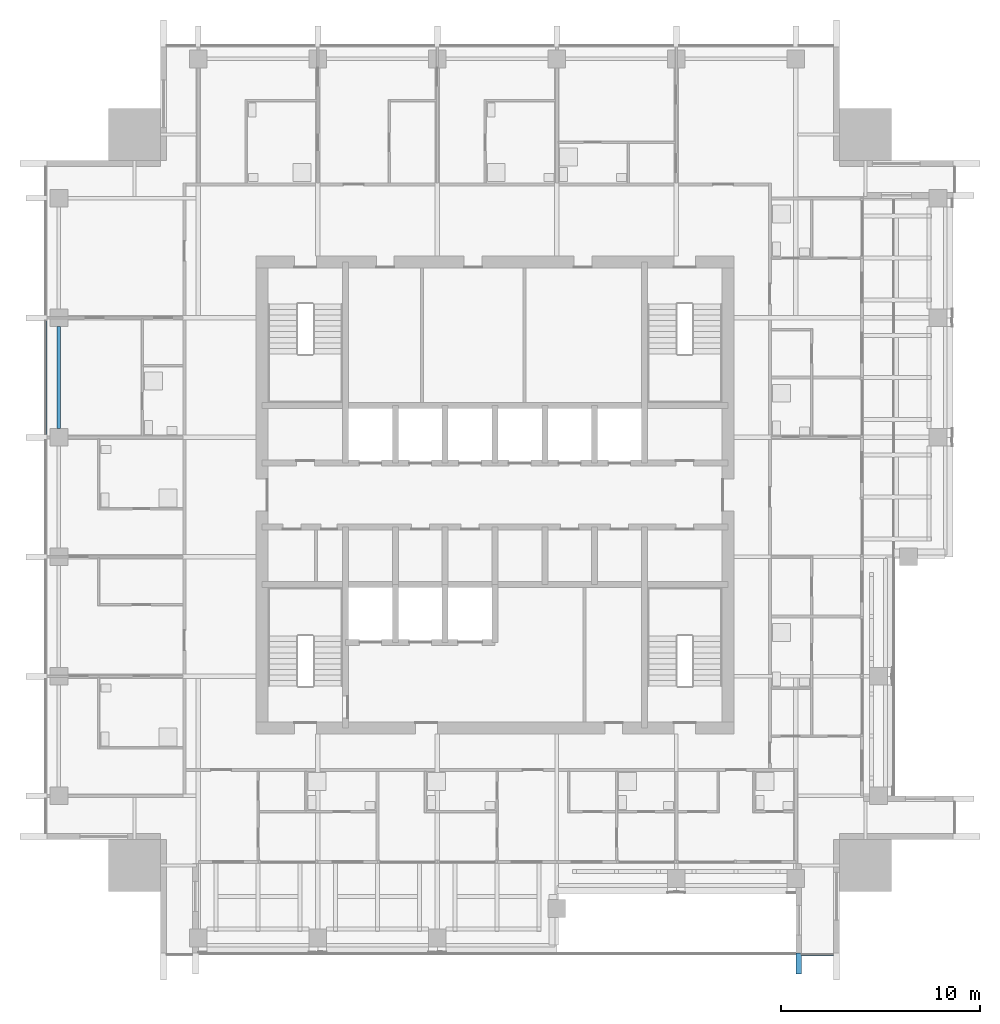
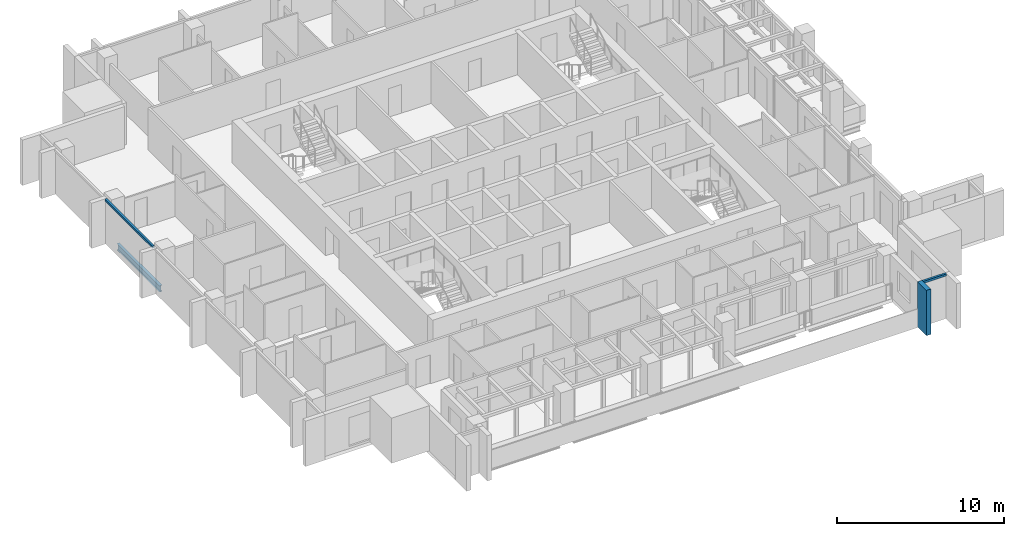
# One storey, part 3 of 17: 3 members, 1 beam, 2 elements without a shape of their own.
"""IFC4 building model written with IfcOpenShell, lengths in metres."""

from ifc_helpers import new_model, si_unit, direction, frame, origin, origin_2d, place, context, subcontext, project, spatial, rectangle, i_section, extrude, material, material_profile, profile_set, type_object, element, aggregate, save


model = new_model("IFC4")

# Units and contexts
model_context = context("Model", 3, precision=1e-05, world=origin(), true_north=direction((0.0, 1.0)))
body_context = subcontext(model_context, "Body", "Model", "MODEL_VIEW")
ifc_project = project(units=[si_unit("LENGTHUNIT", "METRE"), si_unit("AREAUNIT", "SQUARE_METRE"), si_unit("VOLUMEUNIT", "CUBIC_METRE"), si_unit("PLANEANGLEUNIT", "RADIAN"), si_unit("MASSUNIT", "GRAM", prefix="KILO")], contexts=[model_context])

# Site, building, storey
site_placement = place(None, origin())
site = spatial("IfcSite", under=ifc_project, at=site_placement, CompositionType="ELEMENT")
building_placement = place(site_placement, origin())
building = spatial("IfcBuilding", under=site, at=building_placement, Name="Amberfall Residences", CompositionType="ELEMENT")
storey_placement = place(building_placement, frame((0.0, 0.0, 216.699951171875)))
storey = spatial("IfcBuildingStorey", under=building, at=storey_placement, Name="L58", CompositionType="ELEMENT", Elevation=216.699951171875)

# Curtain wall, member
ifc_material_1 = material(Name="Bronze anodised aluminium and glass", Category="aluminium")
curtain_wall_type = type_object("IfcCurtainWallType", Name="Curtain wall CW1 tower unit", PredefinedType="USERDEFINED", material=ifc_material_1)
curtain_wall_1_placement = place(storey_placement, origin())
curtain_wall_1 = element("IfcCurtainWall", 1, at=curtain_wall_1_placement, inside=storey, type_object=curtain_wall_type, Name="Curtain wall L58 S S9", ObjectType="UNITISED CURTAIN WALL", PredefinedType="USERDEFINED")
ifc_material_2 = material(Name="Bronze anodised aluminium", Category="aluminium")
ifc_material_profile_1 = material_profile(ifc_material_2, rectangle(XDim=0.14990234375, YDim=0.14990234375, at=origin_2d()), Name="CW1 transom 150 x 150 bronze")
ifc_profile_set_1 = profile_set([ifc_material_profile_1], Name="Bronze anodised aluminium")
member_type_1 = type_object("IfcMemberType", Name="CW1 transom 150 x 150 bronze", PredefinedType="USERDEFINED", material=ifc_profile_set_1)
member_1_placement = place(storey_placement, frame((89.89990234375, 22.425048828125, 2.97509765625), z_axis=(1.0, 0.0, 0.0), x_axis=(0.0, 1.0, 0.0)))
member_1 = element("IfcMember", 2, at=member_1_placement, type_object=member_type_1, Name="CW1 transom 1.1", ObjectType="TRANSOM", PredefinedType="USERDEFINED", context=body_context, shape_type="SweptSolid", body=[
    extrude(rectangle(XDim=0.14990234375, YDim=0.14990234375, at=origin_2d()), origin(), (0.0, 0.0, 1.0), 1.60009765625),
])

curtain_wall_2_placement = place(storey_placement, origin())
curtain_wall_2 = element("IfcCurtainWall", 3, at=curtain_wall_2_placement, inside=storey, type_object=curtain_wall_type, Name="Curtain wall L58 W W1", ObjectType="UNITISED CURTAIN WALL", PredefinedType="USERDEFINED")
member_2_placement = place(storey_placement, frame((51.925048828125, 54.25, 2.97509765625), z_axis=(0.0, -1.0, 0.0), x_axis=(1.0, 0.0, 0.0)))
member_2 = element("IfcMember", 4, at=member_2_placement, type_object=member_type_1, Name="CW1 transom 3.1", ObjectType="TRANSOM", PredefinedType="USERDEFINED", context=body_context, shape_type="SweptSolid", body=[
    extrude(rectangle(XDim=0.14990234375, YDim=0.14990234375, at=origin_2d()), origin(), (0.0, 0.0, 1.0), 5.699951171875),
])
aggregate(curtain_wall_2, [member_2])

# Beam
ifc_material_3 = material(Name="Steel S355", Category="steel")
ifc_material_profile_2 = material_profile(ifc_material_3, i_section(OverallWidth=0.18994140625, OverallDepth=0.453369140625, WebThickness=0.008544921875, FlangeThickness=0.0126953125, FilletRadius=0.01025390625, at=origin_2d()), Name="UB 457x191x67")
ifc_profile_set_2 = profile_set([ifc_material_profile_2], Name="Steel S355")
beam_type = type_object("IfcBeamType", Name="Edge beam UB 457x191x67", PredefinedType="SPANDREL", material=ifc_profile_set_2)
beam_placement = place(storey_placement, frame((52.60009765625, 48.85009765625, -0.4765625), z_axis=(0.0, 1.0, 0.0), x_axis=(-1.0, 0.0, 0.0)))
element("IfcBeam", 5, at=beam_placement, inside=storey, type_object=beam_type, Name="Edge beam B1 L58 39", PredefinedType="SPANDREL", context=body_context, shape_type="SweptSolid", body=[
    extrude(i_section(OverallWidth=0.18994140625, OverallDepth=0.453369140625, WebThickness=0.008544921875, FlangeThickness=0.0126953125, FilletRadius=0.01025390625, at=origin_2d()), origin(), (0.0, 0.0, 1.0), 5.099853515625),
])

# Member
ifc_material_profile_3 = material_profile(ifc_material_2, rectangle(XDim=1.050048828125, YDim=0.300048828125, at=origin_2d()), Name="Fin 300 x 1050 bronze")
ifc_profile_set_3 = profile_set([ifc_material_profile_3], Name="Bronze anodised aluminium")
member_type_2 = type_object("IfcMemberType", Name="Fin 300 x 1050 bronze", PredefinedType="MULLION", material=ifc_profile_set_3)
member_3_placement = place(storey_placement, frame((89.75, 21.97509765625, -0.25), z_axis=(0.0, 0.0, 1.0), x_axis=(0.0, 1.0, 0.0)))
member_3 = element("IfcMember", 6, at=member_3_placement, type_object=member_type_2, Name="CW FIN 1", PredefinedType="MULLION", context=body_context, shape_type="SweptSolid", body=[
    extrude(rectangle(XDim=1.050048828125, YDim=0.300048828125, at=origin_2d()), origin(), (0.0, 0.0, 1.0), 3.300048828125),
])

aggregate(curtain_wall_1, [member_3, member_1])

save(model, "model.ifc")
